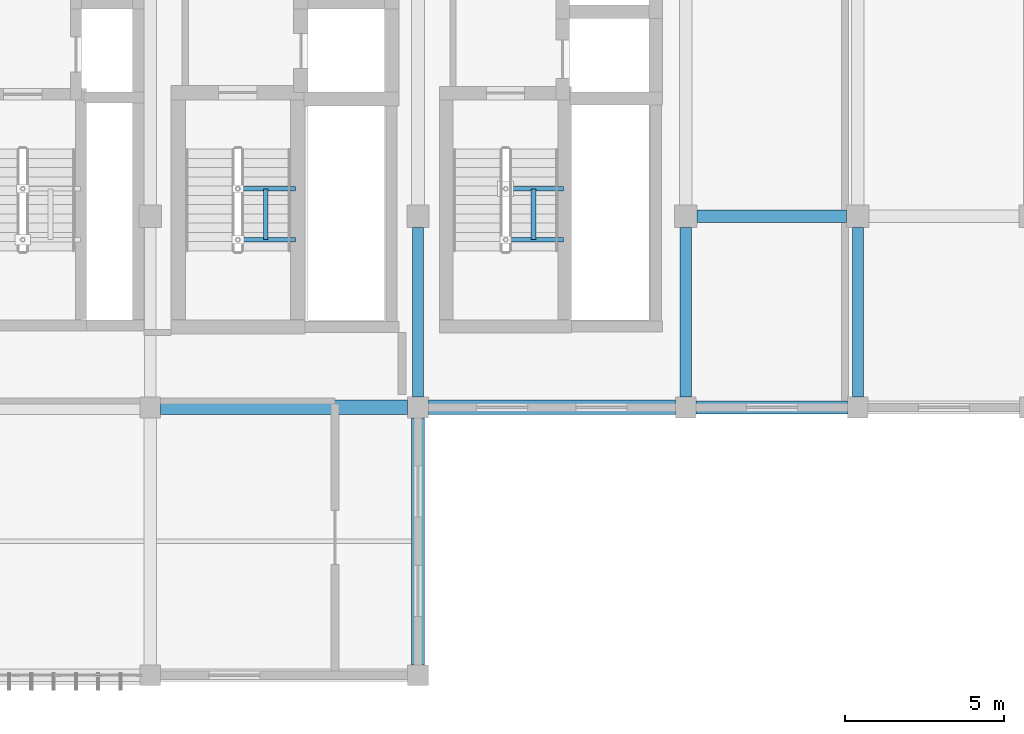
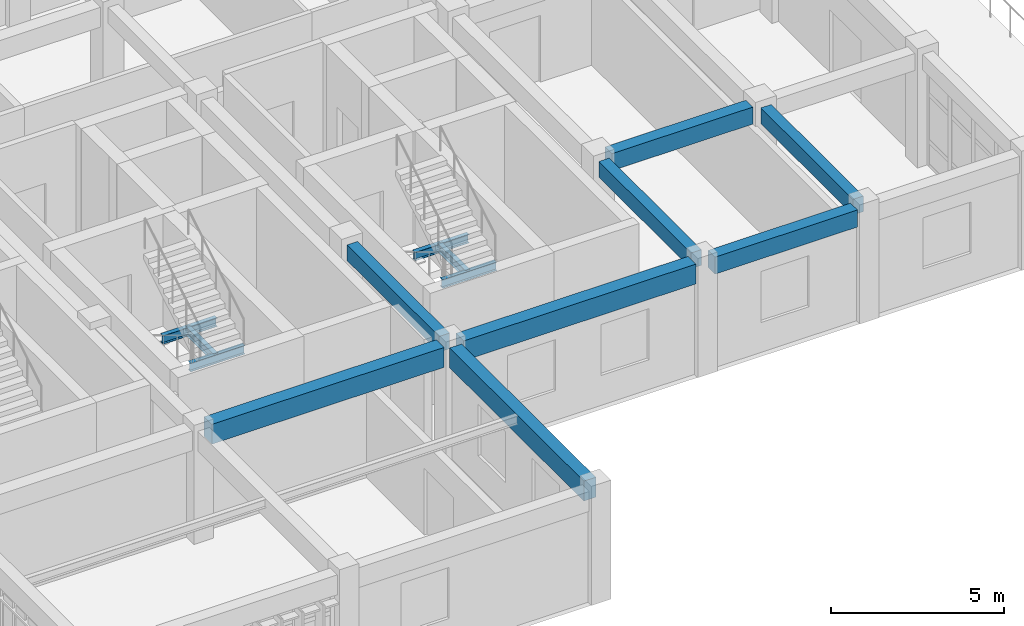
# One storey, part 8 of 23: 14 beams.
"""IFC4 building model written with IfcOpenShell, lengths in metres."""

from ifc_helpers import new_model, si_unit, direction, frame, origin, origin_2d, place, context, subcontext, project, spatial, rectangle, i_section, extrude, material, material_profile, profile_set, type_object, element, save


model = new_model("IFC4")

# Units and contexts
model_context = context("Model", 3, precision=1e-05, world=origin(), true_north=direction((0.0, 1.0)))
body_context = subcontext(model_context, "Body", "Model", "MODEL_VIEW")
ifc_project = project(units=[si_unit("LENGTHUNIT", "METRE"), si_unit("AREAUNIT", "SQUARE_METRE"), si_unit("VOLUMEUNIT", "CUBIC_METRE"), si_unit("PLANEANGLEUNIT", "RADIAN"), si_unit("MASSUNIT", "GRAM", prefix="KILO")], contexts=[model_context])

# Site, building, storey
site_placement = place(None, origin())
site = spatial("IfcSite", under=ifc_project, at=site_placement, CompositionType="ELEMENT")
building_placement = place(site_placement, origin())
building = spatial("IfcBuilding", under=site, at=building_placement, Name="Krzemoval Escarpment Law Courts", CompositionType="ELEMENT")
storey_placement = place(building_placement, frame((0.0, 0.0, 33.60009765625)))
storey = spatial("IfcBuildingStorey", under=building, at=storey_placement, Name="L07", CompositionType="ELEMENT", Elevation=33.60009765625)

# Beams
ifc_material_1 = material(Name="Concrete C40/50", Category="concrete")
ifc_material_profile_1 = material_profile(ifc_material_1, rectangle(XDim=0.35009765625, YDim=0.550048828125, at=origin_2d()), Name="RCB 350x550")
ifc_profile_set_1 = profile_set([ifc_material_profile_1], Name="Concrete C40/50")
beam_type_1 = type_object("IfcBeamType", Name="BM-RC-350x550", PredefinedType="BEAM", material=ifc_profile_set_1)
for number, where, z_axis, x_axis, name in (
    (1, (142.800048828125, 93.925048828125, 3.6748046875), (0.0, 1.0, 0.0), (-1.0, 0.0, 0.0), "Beam FG-L07-2725"),
    (2, (151.199951171875, 93.925048828125, 3.6748046875), (0.0, 1.0, 0.0), (-1.0, 0.0, 0.0), "Beam FG-L07-2729"),
    (3, (156.60009765625, 93.925048828125, 3.6748046875), (0.0, 1.0, 0.0), (-1.0, 0.0, 0.0), "Beam FG-L07-2733"),
):
    element("IfcBeam", number, at=place(storey_placement, frame(where, z_axis=z_axis, x_axis=x_axis)), inside=storey, type_object=beam_type_1, Name=name, PredefinedType="BEAM", context=body_context, shape_type="SweptSolid", body=[
        extrude(rectangle(XDim=0.35009765625, YDim=0.550048828125, at=origin_2d()), origin(), (0.0, 0.0, 1.0), 5.324951171875),
    ])
ifc_material_2 = material(Name="Concrete C40/50", Category="concrete")
ifc_material_profile_2 = material_profile(ifc_material_2, rectangle(XDim=0.39990234375, YDim=0.60009765625, at=origin_2d()), Name="RCB 400x600")
ifc_profile_set_2 = profile_set([ifc_material_profile_2], Name="Concrete C40/50")
beam_type_2 = type_object("IfcBeamType", Name="BM-RC-400x600", PredefinedType="BEAM", material=ifc_profile_set_2)
beam_1_placement = place(storey_placement, frame((151.52490234375, 93.60009765625, 3.64990234375), z_axis=(1.0, 0.0, 0.0), x_axis=(0.0, 1.0, 0.0)))
element("IfcBeam", 4, at=beam_1_placement, inside=storey, type_object=beam_type_2, Name="Beam FG-L07-2698", PredefinedType="BEAM", context=body_context, shape_type="SweptSolid", body=[
    extrude(rectangle(XDim=0.39990234375, YDim=0.60009765625, at=origin_2d()), origin(), (0.0, 0.0, 1.0), 4.75),
])
beam_2_placement = place(storey_placement, frame((151.550048828125, 99.60009765625, 3.64990234375), z_axis=(1.0, 0.0, 0.0), x_axis=(0.0, 1.0, 0.0)))
element("IfcBeam", 5, at=beam_2_placement, inside=storey, type_object=beam_type_2, Name="Beam FG-L07-2700", PredefinedType="BEAM", context=body_context, shape_type="SweptSolid", body=[
    extrude(rectangle(XDim=0.39990234375, YDim=0.60009765625, at=origin_2d()), origin(), (0.0, 0.0, 1.0), 4.699951171875),
])
ifc_material_3 = material(Name="Concrete C40/50", Category="concrete")
ifc_material_profile_3 = material_profile(ifc_material_3, rectangle(XDim=0.39990234375, YDim=0.699951171875, at=origin_2d()), Name="RCB 400x700")
ifc_profile_set_3 = profile_set([ifc_material_profile_3], Name="Concrete C40/50")
beam_type_3 = type_object("IfcBeamType", Name="BM-RC-400x700", PredefinedType="BEAM", material=ifc_profile_set_3)
beam_3_placement = place(storey_placement, frame((142.800048828125, 85.52490234375, 3.599853515625), z_axis=(0.0, 1.0, 0.0), x_axis=(-1.0, 0.0, 0.0)))
element("IfcBeam", 6, at=beam_3_placement, inside=storey, type_object=beam_type_3, Name="Beam FG-L07-2724", PredefinedType="BEAM", context=body_context, shape_type="SweptSolid", body=[
    extrude(rectangle(XDim=0.39990234375, YDim=0.699951171875, at=origin_2d()), origin(), (0.0, 0.0, 1.0), 7.75),
])
ifc_material_4 = material(Name="Concrete C40/50", Category="concrete")
ifc_material_profile_4 = material_profile(ifc_material_4, rectangle(XDim=0.449951171875, YDim=0.699951171875, at=origin_2d()), Name="RCB 450x700")
ifc_profile_set_4 = profile_set([ifc_material_profile_4], Name="Concrete C40/50")
beam_type_4 = type_object("IfcBeamType", Name="BM-RC-450x700", PredefinedType="BEAM", material=ifc_profile_set_4)
for number, where, z_axis, x_axis, name in (
    (7, (134.72509765625, 93.60009765625, 3.599853515625), (1.0, 0.0, 0.0), (0.0, 1.0, 0.0), "Beam FG-L07-2696"),
    (8, (143.125, 93.60009765625, 3.599853515625), (1.0, 0.0, 0.0), (0.0, 1.0, 0.0), "Beam FG-L07-2697"),
):
    element("IfcBeam", number, at=place(storey_placement, frame(where, z_axis=z_axis, x_axis=x_axis)), inside=storey, type_object=beam_type_4, Name=name, PredefinedType="BEAM", context=body_context, shape_type="SweptSolid", body=[
        extrude(rectangle(XDim=0.449951171875, YDim=0.699951171875, at=origin_2d()), origin(), (0.0, 0.0, 1.0), 7.75),
    ])
ifc_material_5 = material(Name="Steel S355", Category="steel")
ifc_material_profile_5 = material_profile(ifc_material_5, i_section(OverallWidth=0.14990234375, OverallDepth=0.300048828125, WebThickness=0.007080078125, FlangeThickness=0.0107421875, at=origin_2d()), Name="IPE 300")
ifc_profile_set_5 = profile_set([ifc_material_profile_5], Name="Steel S355")
beam_type_5 = type_object("IfcBeamType", Name="JST-S355-IPE300", PredefinedType="JOIST", material=ifc_profile_set_5)
for number, where, z_axis, x_axis, name in (
    (9, (137.14990234375, 98.860107421875, 1.81982421875), (1.0, 0.0, 0.0), (0.0, 1.0, 0.0), "Stair Well Crosshead SLHW-C2-L07-1"),
    (10, (137.14990234375, 100.4599609375, 1.81982421875), (1.0, 0.0, 0.0), (0.0, 1.0, 0.0), "Stair Well Crosshead SLHW-C2-L07-2"),
):
    element("IfcBeam", number, at=place(storey_placement, frame(where, z_axis=z_axis, x_axis=x_axis)), inside=storey, type_object=beam_type_5, Name=name, PredefinedType="JOIST", context=body_context, shape_type="SweptSolid", body=[
        extrude(i_section(OverallWidth=0.14990234375, OverallDepth=0.300048828125, WebThickness=0.007080078125, FlangeThickness=0.0107421875, at=origin_2d()), origin(), (0.0, 0.0, 1.0), 1.81005859375),
    ])
beam_4_placement = place(storey_placement, frame((138.02490234375, 98.860107421875, 1.81982421875), z_axis=(0.0, 1.0, 0.0), x_axis=(-1.0, 0.0, 0.0)))
element("IfcBeam", 11, at=beam_4_placement, inside=storey, type_object=beam_type_5, Name="Stair Flight Support Stringer SLTW-C2-L07", PredefinedType="JOIST", context=body_context, shape_type="SweptSolid", body=[
    extrude(i_section(OverallWidth=0.14990234375, OverallDepth=0.300048828125, WebThickness=0.007080078125, FlangeThickness=0.0107421875, at=origin_2d()), origin(), (0.0, 0.0, 1.0), 1.599853515625),
])
for number, where, z_axis, x_axis, name in (
    (12, (145.550048828125, 98.860107421875, 1.81982421875), (1.0, 0.0, 0.0), (0.0, 1.0, 0.0), "Stair Well Crosshead SLHW-C3-L07-1"),
    (13, (145.550048828125, 100.4599609375, 1.81982421875), (1.0, 0.0, 0.0), (0.0, 1.0, 0.0), "Stair Well Crosshead SLHW-C3-L07-2"),
):
    element("IfcBeam", number, at=place(storey_placement, frame(where, z_axis=z_axis, x_axis=x_axis)), inside=storey, type_object=beam_type_5, Name=name, PredefinedType="JOIST", context=body_context, shape_type="SweptSolid", body=[
        extrude(i_section(OverallWidth=0.14990234375, OverallDepth=0.300048828125, WebThickness=0.007080078125, FlangeThickness=0.0107421875, at=origin_2d()), origin(), (0.0, 0.0, 1.0), 1.81005859375),
    ])
beam_5_placement = place(storey_placement, frame((146.425048828125, 98.860107421875, 1.81982421875), z_axis=(0.0, 1.0, 0.0), x_axis=(-1.0, 0.0, 0.0)))
element("IfcBeam", 14, at=beam_5_placement, inside=storey, type_object=beam_type_5, Name="Stair Flight Support Stringer SLTW-C3-L07", PredefinedType="JOIST", context=body_context, shape_type="SweptSolid", body=[
    extrude(i_section(OverallWidth=0.14990234375, OverallDepth=0.300048828125, WebThickness=0.007080078125, FlangeThickness=0.0107421875, at=origin_2d()), origin(), (0.0, 0.0, 1.0), 1.599853515625),
])

save(model, "model.ifc")
